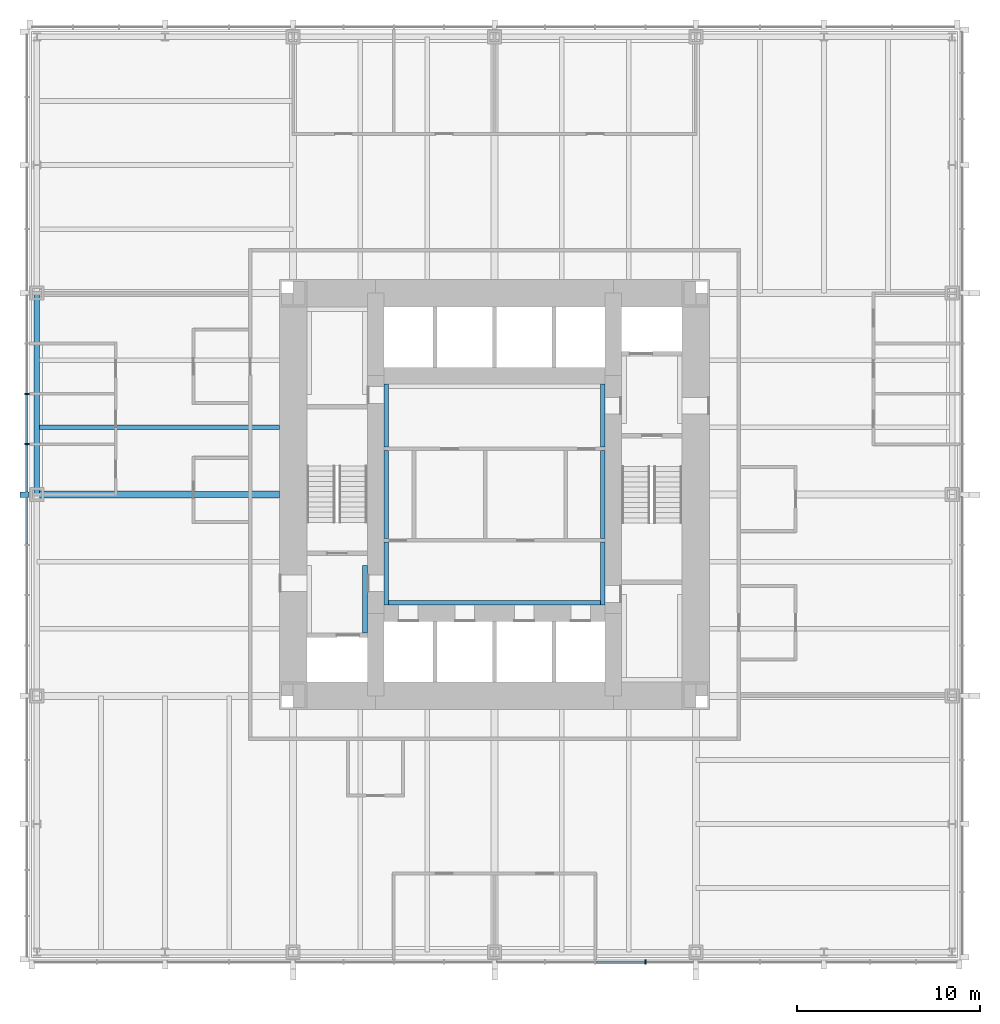
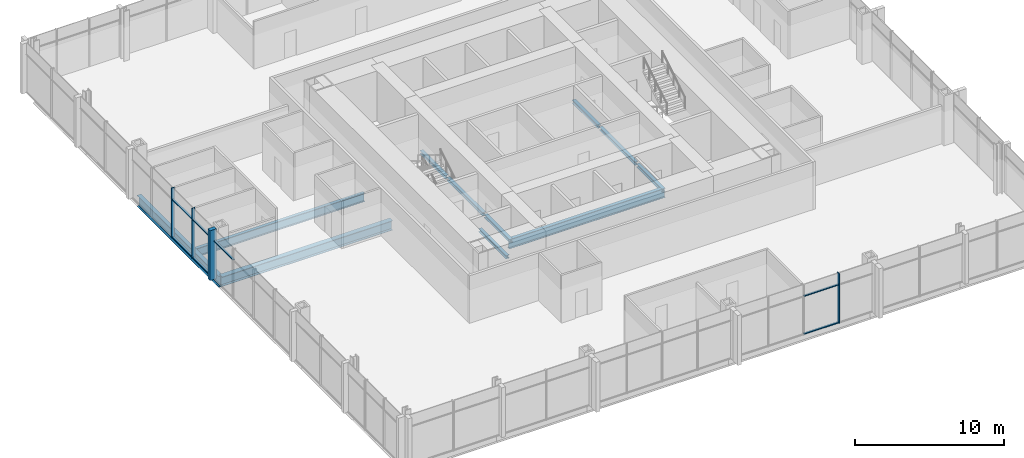
# One storey, part 3 of 12: 11 beams, 11 members, 2 elements without a shape of their own.
"""IFC4 building model written with IfcOpenShell, lengths in metres."""

from ifc_helpers import new_model, si_unit, direction, frame, origin, origin_2d, place, context, subcontext, project, spatial, rectangle, i_section, extrude, material, material_profile, profile_set, type_object, element, aggregate, save


model = new_model("IFC4")

# Units and contexts
model_context = context("Model", 3, precision=1e-05, world=origin(), true_north=direction((0.0, 1.0)))
body_context = subcontext(model_context, "Body", "Model", "MODEL_VIEW")
ifc_project = project(units=[si_unit("LENGTHUNIT", "METRE"), si_unit("AREAUNIT", "SQUARE_METRE"), si_unit("VOLUMEUNIT", "CUBIC_METRE"), si_unit("PLANEANGLEUNIT", "RADIAN"), si_unit("MASSUNIT", "GRAM", prefix="KILO")], contexts=[model_context])

# Site, building, storey
site_placement = place(None, origin())
site = spatial("IfcSite", under=ifc_project, at=site_placement, CompositionType="ELEMENT")
building_placement = place(site_placement, origin())
building = spatial("IfcBuilding", under=site, at=building_placement, Name="Trevanion Tower", CompositionType="ELEMENT")
storey_placement = place(building_placement, frame((0.0, 0.0, 65.199951171875)))
storey = spatial("IfcBuildingStorey", under=building, at=storey_placement, Name="L15", CompositionType="ELEMENT", Elevation=65.199951171875)

# Beam
ifc_material_1 = material(Name="Steel ASTM A992 Grade 50", Category="steel")
ifc_material_profile_1 = material_profile(ifc_material_1, i_section(OverallWidth=0.25390625, OverallDepth=0.700927734375, WebThickness=0.015380859375, FlangeThickness=0.02783203125, at=origin_2d()), Name="W27X129")
ifc_profile_set_1 = profile_set([ifc_material_profile_1], Name="Steel ASTM A992 Grade 50")
beam_type_1 = type_object("IfcBeamType", Name="B3 W27X129", PredefinedType="BEAM", material=ifc_profile_set_1)
beam_1_placement = place(storey_placement, frame((-11.75, 3.666748046875, -0.54052734375), z_axis=(-1.0, 0.0, 0.0), x_axis=(0.0, -1.0, 0.0)))
element("IfcBeam", 1, at=beam_1_placement, inside=storey, type_object=beam_type_1, Name="B3 L15", PredefinedType="BEAM", context=body_context, shape_type="SweptSolid", body=[
    extrude(i_section(OverallWidth=0.25390625, OverallDepth=0.700927734375, WebThickness=0.015380859375, FlangeThickness=0.02783203125, at=origin_2d()), origin(), (0.0, 0.0, 1.0), 13.25),
])

# Curtain wall, members
ifc_material_2 = material(Name="Aluminium and glass", Category="aluminium")
curtain_wall_type = type_object("IfcCurtainWallType", Name="CW1 curtain wall", PredefinedType="USERDEFINED", material=ifc_material_2)
curtain_wall_1_placement = place(storey_placement, origin())
curtain_wall_1 = element("IfcCurtainWall", 2, at=curtain_wall_1_placement, inside=storey, type_object=curtain_wall_type, Name="CW1 L15 2", ObjectType="UNITISED CURTAIN WALL", PredefinedType="USERDEFINED")
ifc_material_3 = material(Name="Aluminium extrusion, anodised bronze", Category="aluminium")
ifc_material_profile_2 = material_profile(ifc_material_3, rectangle(XDim=0.074951171875, YDim=0.25, at=origin_2d()), Name="CW1 mullion")
ifc_profile_set_2 = profile_set([ifc_material_profile_2], Name="Aluminium extrusion, anodised bronze")
member_type_1 = type_object("IfcMemberType", Name="CW1 mullion", PredefinedType="MULLION", material=ifc_profile_set_2)
member_1_placement = place(storey_placement, frame((-25.550048828125, 5.5, -0.18994140625), z_axis=(0.0, 0.0, 1.0), x_axis=(0.0, -1.0, 0.0)))
member_1 = element("IfcMember", 3, at=member_1_placement, type_object=member_type_1, Name="CW1 mullion 7", PredefinedType="MULLION", context=body_context, shape_type="SweptSolid", body=[
    extrude(rectangle(XDim=0.074951171875, YDim=0.25, at=origin_2d()), origin(), (0.0, 0.0, 1.0), 4.10009765625),
])
member_2_placement = place(storey_placement, frame((-25.550048828125, 2.75, -0.18994140625), z_axis=(0.0, 0.0, 1.0), x_axis=(0.0, -1.0, 0.0)))
member_2 = element("IfcMember", 4, at=member_2_placement, type_object=member_type_1, Name="CW1 mullion 8", PredefinedType="MULLION", context=body_context, shape_type="SweptSolid", body=[
    extrude(rectangle(XDim=0.074951171875, YDim=0.25, at=origin_2d()), origin(), (0.0, 0.0, 1.0), 4.10009765625),
])

# Curtain wall, member
curtain_wall_2_placement = place(storey_placement, origin())
curtain_wall_2 = element("IfcCurtainWall", 5, at=curtain_wall_2_placement, inside=storey, type_object=curtain_wall_type, Name="CW1 L15 3", ObjectType="UNITISED CURTAIN WALL", PredefinedType="USERDEFINED")
member_3_placement = place(storey_placement, frame((8.25, -25.550048828125, -0.18994140625), z_axis=(0.0, 0.0, 1.0), x_axis=(1.0, 0.0, 0.0)))
member_3 = element("IfcMember", 6, at=member_3_placement, type_object=member_type_1, Name="CW1 mullion 12", PredefinedType="MULLION", context=body_context, shape_type="SweptSolid", body=[
    extrude(rectangle(XDim=0.074951171875, YDim=0.25, at=origin_2d()), origin(), (0.0, 0.0, 1.0), 4.10009765625),
])

# Member
ifc_material_4 = material(Name="Aluminium extrusion, anodised bronze", Category="aluminium")
ifc_material_profile_3 = material_profile(ifc_material_4, rectangle(XDim=0.300048828125, YDim=0.5, at=origin_2d()), Name="CW1 pier mullion")
ifc_profile_set_3 = profile_set([ifc_material_profile_3], Name="Aluminium extrusion, anodised bronze")
member_type_2 = type_object("IfcMemberType", Name="CW1 pier mullion", PredefinedType="MULLION", material=ifc_profile_set_3)
member_4_placement = place(storey_placement, frame((-25.675048828125, 0.0, -0.18994140625), z_axis=(0.0, 0.0, 1.0), x_axis=(0.0, -1.0, 0.0)))
member_4 = element("IfcMember", 7, at=member_4_placement, type_object=member_type_2, Name="CW1 pier mullion 9", PredefinedType="MULLION", context=body_context, shape_type="SweptSolid", body=[
    extrude(rectangle(XDim=0.300048828125, YDim=0.5, at=origin_2d()), origin(), (0.0, 0.0, 1.0), 4.10009765625),
])

ifc_material_5 = material(Name="Aluminium extrusion, anodised bronze", Category="aluminium")
ifc_material_profile_4 = material_profile(ifc_material_5, rectangle(XDim=0.14990234375, YDim=0.074951171875, at=origin_2d()), Name="CW1 transom")
ifc_profile_set_4 = profile_set([ifc_material_profile_4], Name="Aluminium extrusion, anodised bronze")
member_type_3 = type_object("IfcMemberType", Name="CW1 transom", PredefinedType="USERDEFINED", material=ifc_profile_set_4)
member_5_placement = place(storey_placement, frame((-25.550048828125, 5.46240234375, -0.15234375), z_axis=(0.0, -1.0, 0.0), x_axis=(1.0, 0.0, 0.0)))
member_5 = element("IfcMember", 8, at=member_5_placement, type_object=member_type_3, Name="CW1 transom 7.1", ObjectType="TRANSOM", PredefinedType="USERDEFINED", context=body_context, shape_type="SweptSolid", body=[
    extrude(rectangle(XDim=0.14990234375, YDim=0.074951171875, at=origin_2d()), origin(), (0.0, 0.0, 1.0), 2.6748046875),
])

member_6_placement = place(storey_placement, frame((-25.550048828125, 5.46240234375, 2.9599609375), z_axis=(0.0, -1.0, 0.0), x_axis=(1.0, 0.0, 0.0)))
member_6 = element("IfcMember", 9, at=member_6_placement, type_object=member_type_3, Name="CW1 transom 7.2", ObjectType="TRANSOM", PredefinedType="USERDEFINED", context=body_context, shape_type="SweptSolid", body=[
    extrude(rectangle(XDim=0.14990234375, YDim=0.074951171875, at=origin_2d()), origin(), (0.0, 0.0, 1.0), 2.6748046875),
])

member_7_placement = place(storey_placement, frame((-25.550048828125, 2.71240234375, -0.15234375), z_axis=(0.0, -1.0, 0.0), x_axis=(1.0, 0.0, 0.0)))
member_7 = element("IfcMember", 10, at=member_7_placement, type_object=member_type_3, Name="CW1 transom 8.1", ObjectType="TRANSOM", PredefinedType="USERDEFINED", context=body_context, shape_type="SweptSolid", body=[
    extrude(rectangle(XDim=0.14990234375, YDim=0.074951171875, at=origin_2d()), origin(), (0.0, 0.0, 1.0), 2.5625),
])

member_8_placement = place(storey_placement, frame((-25.550048828125, 2.71240234375, 2.9599609375), z_axis=(0.0, -1.0, 0.0), x_axis=(1.0, 0.0, 0.0)))
member_8 = element("IfcMember", 11, at=member_8_placement, type_object=member_type_3, Name="CW1 transom 8.2", ObjectType="TRANSOM", PredefinedType="USERDEFINED", context=body_context, shape_type="SweptSolid", body=[
    extrude(rectangle(XDim=0.14990234375, YDim=0.074951171875, at=origin_2d()), origin(), (0.0, 0.0, 1.0), 2.5625),
])

member_9_placement = place(storey_placement, frame((-25.550048828125, -0.14990234375, 2.9599609375), z_axis=(0.0, -1.0, 0.0), x_axis=(1.0, 0.0, 0.0)))
member_9 = element("IfcMember", 12, at=member_9_placement, type_object=member_type_3, Name="CW1 transom 9.2", ObjectType="TRANSOM", PredefinedType="USERDEFINED", context=body_context, shape_type="SweptSolid", body=[
    extrude(rectangle(XDim=0.14990234375, YDim=0.074951171875, at=origin_2d()), origin(), (0.0, 0.0, 1.0), 2.5625),
])

aggregate(curtain_wall_1, [member_1, member_2, member_4, member_5, member_6, member_7, member_8, member_9])

member_10_placement = place(storey_placement, frame((5.53759765625, -25.550048828125, -0.15234375), z_axis=(1.0, 0.0, 0.0), x_axis=(0.0, 1.0, 0.0)))
member_10 = element("IfcMember", 13, at=member_10_placement, type_object=member_type_3, Name="CW1 transom 11.1", ObjectType="TRANSOM", PredefinedType="USERDEFINED", context=body_context, shape_type="SweptSolid", body=[
    extrude(rectangle(XDim=0.14990234375, YDim=0.074951171875, at=origin_2d()), origin(), (0.0, 0.0, 1.0), 2.6748046875),
])

member_11_placement = place(storey_placement, frame((5.53759765625, -25.550048828125, 2.9599609375), z_axis=(1.0, 0.0, 0.0), x_axis=(0.0, 1.0, 0.0)))
member_11 = element("IfcMember", 14, at=member_11_placement, type_object=member_type_3, Name="CW1 transom 11.2", ObjectType="TRANSOM", PredefinedType="USERDEFINED", context=body_context, shape_type="SweptSolid", body=[
    extrude(rectangle(XDim=0.14990234375, YDim=0.074951171875, at=origin_2d()), origin(), (0.0, 0.0, 1.0), 2.6748046875),
])

aggregate(curtain_wall_2, [member_3, member_10, member_11])

# Beams
ifc_material_6 = material(Name="Steel ASTM A992 Grade 50", Category="steel")
ifc_material_profile_5 = material_profile(ifc_material_6, i_section(OverallWidth=0.381103515625, OverallDepth=0.77978515625, WebThickness=0.01806640625, FlangeThickness=0.0302734375, at=origin_2d()), Name="W30X191")
ifc_profile_set_5 = profile_set([ifc_material_profile_5], Name="Steel ASTM A992 Grade 50")
beam_type_2 = type_object("IfcBeamType", Name="G2 W30X191", PredefinedType="BEAM", material=ifc_profile_set_5)
beam_2_placement = place(storey_placement, frame((-11.75, 0.0, -0.579833984375), z_axis=(-1.0, 0.0, 0.0), x_axis=(0.0, -1.0, 0.0)))
element("IfcBeam", 15, at=beam_2_placement, inside=storey, type_object=beam_type_2, Name="G2 L15", PredefinedType="BEAM", context=body_context, shape_type="SweptSolid", body=[
    extrude(i_section(OverallWidth=0.381103515625, OverallDepth=0.77978515625, WebThickness=0.01806640625, FlangeThickness=0.0302734375, at=origin_2d()), origin(), (0.0, 0.0, 1.0), 13.25),
])
ifc_material_7 = material(Name="Steel ASTM A992 Grade 50", Category="steel")
ifc_material_profile_6 = material_profile(ifc_material_7, i_section(OverallWidth=0.256591796875, OverallDepth=0.26416015625, WebThickness=0.011962890625, FlangeThickness=0.01953125, at=origin_2d()), Name="W10X68")
ifc_profile_set_6 = profile_set([ifc_material_profile_6], Name="Steel ASTM A992 Grade 50")
beam_type_3 = type_object("IfcBeamType", Name="LB1 W10X68", PredefinedType="BEAM", material=ifc_profile_set_6)
for number, where, z_axis, x_axis, name in (
    (16, (-5.921630859375, 2.60009765625, -0.33203125), (0.0, 1.0, 0.0), (-1.0, 0.0, 0.0), "LB1 L15"),
    (17, (5.921630859375, 2.60009765625, -0.33203125), (0.0, 1.0, 0.0), (-1.0, 0.0, 0.0), "LB1 L15"),
    (18, (-5.921630859375, -6.050048828125, -0.33203125), (0.0, 1.0, 0.0), (-1.0, 0.0, 0.0), "LB1 L15"),
    (19, (5.921630859375, -6.050048828125, -0.33203125), (0.0, 1.0, 0.0), (-1.0, 0.0, 0.0), "LB1 L15"),
):
    element("IfcBeam", number, at=place(storey_placement, frame(where, z_axis=z_axis, x_axis=x_axis)), inside=storey, type_object=beam_type_3, Name=name, PredefinedType="BEAM", context=body_context, shape_type="SweptSolid", body=[
        extrude(i_section(OverallWidth=0.256591796875, OverallDepth=0.26416015625, WebThickness=0.011962890625, FlangeThickness=0.01953125, at=origin_2d()), origin(), (0.0, 0.0, 1.0), 3.449951171875),
    ])
beam_3_placement = place(storey_placement, frame((-7.078369140625, -7.574951171875, -0.33203125), z_axis=(0.0, 1.0, 0.0), x_axis=(-1.0, 0.0, 0.0)))
element("IfcBeam", 20, at=beam_3_placement, inside=storey, type_object=beam_type_3, Name="LB1 L15", PredefinedType="BEAM", context=body_context, shape_type="SweptSolid", body=[
    extrude(i_section(OverallWidth=0.256591796875, OverallDepth=0.26416015625, WebThickness=0.011962890625, FlangeThickness=0.01953125, at=origin_2d()), origin(), (0.0, 0.0, 1.0), 3.699951171875),
])
for number, where, z_axis, x_axis, name in (
    (21, (-5.921630859375, -2.39990234375, -0.33203125), (0.0, 1.0, 0.0), (-1.0, 0.0, 0.0), "LB1 L15"),
    (22, (5.921630859375, -2.39990234375, -0.33203125), (0.0, 1.0, 0.0), (-1.0, 0.0, 0.0), "LB1 L15"),
):
    element("IfcBeam", number, at=place(storey_placement, frame(where, z_axis=z_axis, x_axis=x_axis)), inside=storey, type_object=beam_type_3, Name=name, PredefinedType="BEAM", context=body_context, shape_type="SweptSolid", body=[
        extrude(i_section(OverallWidth=0.256591796875, OverallDepth=0.26416015625, WebThickness=0.011962890625, FlangeThickness=0.01953125, at=origin_2d()), origin(), (0.0, 0.0, 1.0), 4.7998046875),
    ])
ifc_material_8 = material(Name="Steel ASTM A992 Grade 50", Category="steel")
ifc_material_profile_7 = material_profile(ifc_material_8, i_section(OverallWidth=0.2666015625, OverallDepth=0.76953125, WebThickness=0.015625, FlangeThickness=0.025390625, at=origin_2d()), Name="W30X132")
ifc_profile_set_7 = profile_set([ifc_material_profile_7], Name="Steel ASTM A992 Grade 50")
beam_type_4 = type_object("IfcBeamType", Name="LB3 W30X132", PredefinedType="BEAM", material=ifc_profile_set_7)
beam_4_placement = place(storey_placement, frame((-6.050048828125, -5.91650390625, -0.584716796875), z_axis=(1.0, 0.0, 0.0), x_axis=(0.0, 1.0, 0.0)))
element("IfcBeam", 23, at=beam_4_placement, inside=storey, type_object=beam_type_4, Name="LB3 L15", PredefinedType="BEAM", context=body_context, shape_type="SweptSolid", body=[
    extrude(i_section(OverallWidth=0.2666015625, OverallDepth=0.76953125, WebThickness=0.015625, FlangeThickness=0.025390625, at=origin_2d()), origin(), (0.0, 0.0, 1.0), 12.10009765625),
])
ifc_material_9 = material(Name="Steel ASTM A992 Grade 50", Category="steel")
ifc_material_profile_8 = material_profile(ifc_material_9, i_section(OverallWidth=0.307373046875, OverallDepth=0.927001953125, WebThickness=0.01953125, FlangeThickness=0.031982421875, at=origin_2d()), Name="W36X194")
ifc_profile_set_8 = profile_set([ifc_material_profile_8], Name="Steel ASTM A992 Grade 50")
beam_type_5 = type_object("IfcBeamType", Name="SB2 W36X194", PredefinedType="SPANDREL", material=ifc_profile_set_8)
beam_5_placement = place(storey_placement, frame((-25.0, 11.0, -0.653564453125), z_axis=(0.0, -1.0, 0.0), x_axis=(1.0, 0.0, 0.0)))
element("IfcBeam", 24, at=beam_5_placement, inside=storey, type_object=beam_type_5, Name="SB2 L15", PredefinedType="SPANDREL", context=body_context, shape_type="SweptSolid", body=[
    extrude(i_section(OverallWidth=0.307373046875, OverallDepth=0.927001953125, WebThickness=0.01953125, FlangeThickness=0.031982421875, at=origin_2d()), origin(), (0.0, 0.0, 1.0), 11.0),
])

save(model, "model.ifc")
